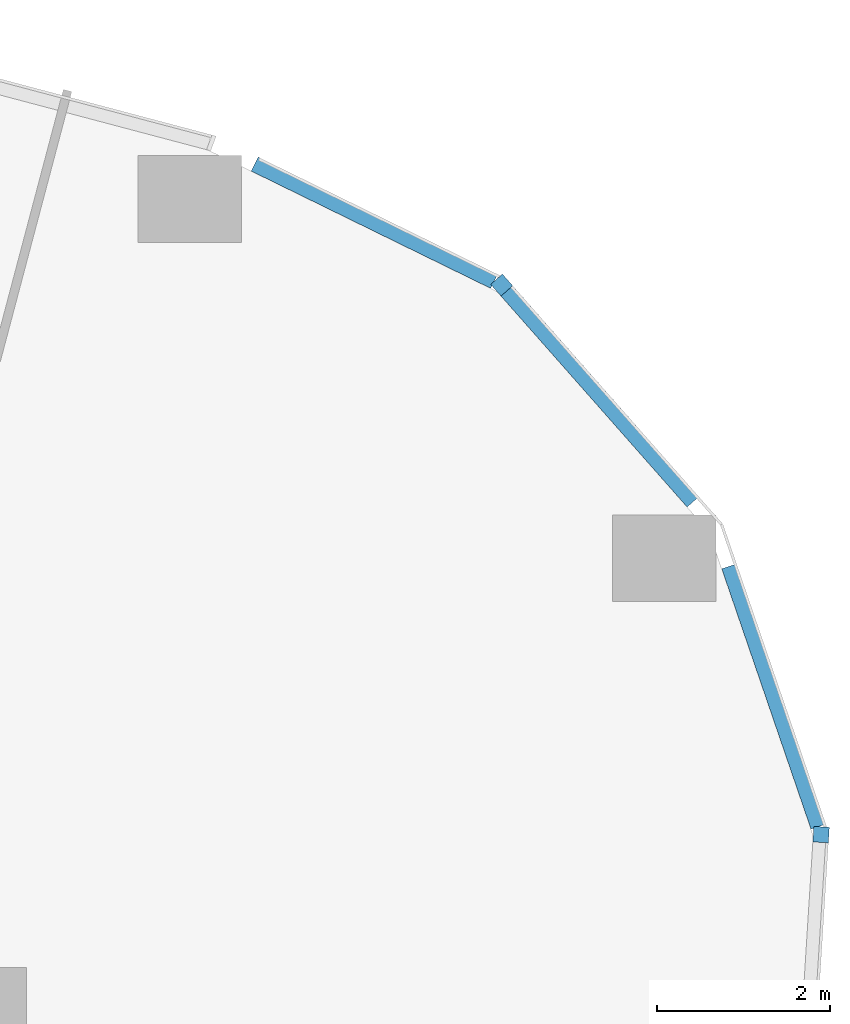
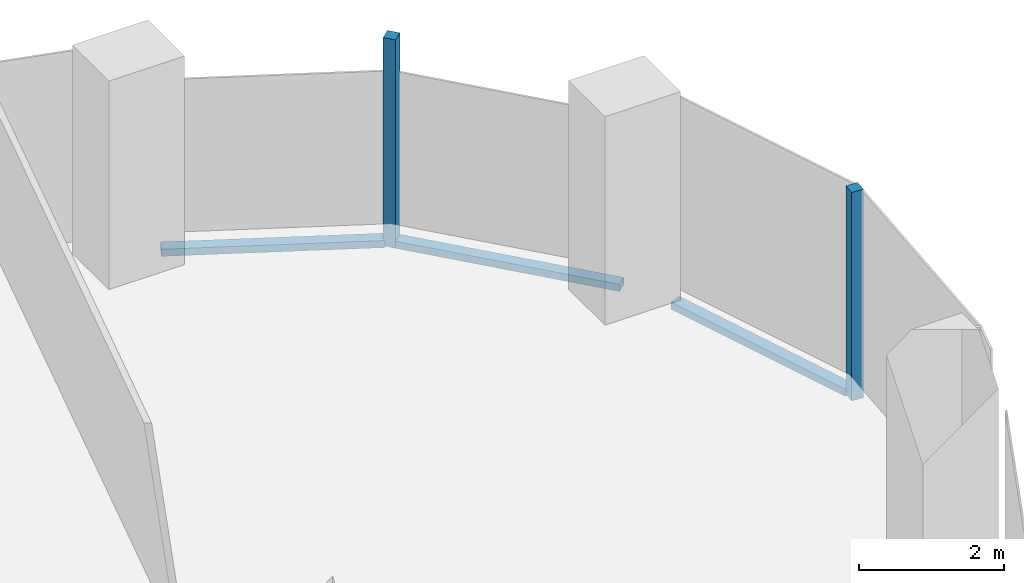
# One storey, part 11 of 35: 5 members, 4 elements without a shape of their own.
"""IFC4 building model written with IfcOpenShell, lengths in metres."""

from ifc_helpers import new_model, si_unit, direction, frame, origin, origin_2d, place, context, subcontext, project, spatial, rectangle, extrude, material, material_profile, profile_set, type_object, element, aggregate, save


model = new_model("IFC4")

# Units and contexts
model_context = context("Model", 3, precision=1e-05, world=origin(), true_north=direction((0.0, 1.0)))
body_context = subcontext(model_context, "Body", "Model", "MODEL_VIEW")
ifc_project = project(units=[si_unit("LENGTHUNIT", "METRE"), si_unit("AREAUNIT", "SQUARE_METRE"), si_unit("VOLUMEUNIT", "CUBIC_METRE"), si_unit("PLANEANGLEUNIT", "RADIAN"), si_unit("MASSUNIT", "GRAM", prefix="KILO")], contexts=[model_context])

# Site, building, storey
site_placement = place(None, origin())
site = spatial("IfcSite", under=ifc_project, at=site_placement, CompositionType="ELEMENT")
building_placement = place(site_placement, origin())
building = spatial("IfcBuilding", under=site, at=building_placement, Name="Orlundy Tower", CompositionType="ELEMENT")
storey_placement = place(building_placement, frame((0.0, 0.0, 116.199951171875)))
storey = spatial("IfcBuildingStorey", under=building, at=storey_placement, Name="L29", CompositionType="ELEMENT", Elevation=116.199951171875)

# Curtain wall, member
ifc_material_1 = material(Name="Aluminium bronze anodised", Category="aluminium")
curtain_wall_type = type_object("IfcCurtainWallType", Name="CW1 wall", PredefinedType="NOTDEFINED", material=ifc_material_1)
curtain_wall_1_placement = place(storey_placement, origin())
curtain_wall_1 = element("IfcCurtainWall", 1, at=curtain_wall_1_placement, inside=storey, type_object=curtain_wall_type, Name="CW1 run 020", PredefinedType="NOTDEFINED")
ifc_material_2 = material(Name="Aluminium bronze anodised", Category="aluminium")
ifc_material_profile_1 = material_profile(ifc_material_2, rectangle(XDim=0.179931640625, YDim=0.179931640625, at=origin_2d()), Name="CW1 corner post 180x180")
ifc_profile_set_1 = profile_set([ifc_material_profile_1], Name="Aluminium bronze anodised")
member_type_1 = type_object("IfcMemberType", Name="CW1 corner post 180x180", PredefinedType="MULLION", material=ifc_profile_set_1)
member_1_placement = place(storey_placement, frame((57.8056640625, 4.719970703125, -0.39990234375), z_axis=(0.0, 0.0, 1.0), x_axis=(0.749845729605, 0.661612712841, 0.0)))
member_1 = element("IfcMember", 2, at=member_1_placement, type_object=member_type_1, Name="CW1 mullion 58", PredefinedType="MULLION", context=body_context, shape_type="SweptSolid", body=[
    extrude(rectangle(XDim=0.179931640625, YDim=0.179931640625, at=origin_2d()), origin(), (0.0, 0.0, 1.0), 3.5),
])

curtain_wall_2_placement = place(storey_placement, origin())
curtain_wall_2 = element("IfcCurtainWall", 3, at=curtain_wall_2_placement, inside=storey, type_object=curtain_wall_type, Name="CW1 run 022", PredefinedType="NOTDEFINED")
member_2_placement = place(storey_placement, frame((61.494873046875, -1.626708984375, -0.39990234375), z_axis=(0.0, 0.0, 1.0), x_axis=(0.998038906457, -0.062596654845, 0.0)))
member_2 = element("IfcMember", 4, at=member_2_placement, type_object=member_type_1, Name="CW1 mullion 60", PredefinedType="MULLION", context=body_context, shape_type="SweptSolid", body=[
    extrude(rectangle(XDim=0.179931640625, YDim=0.179931640625, at=origin_2d()), origin(), (0.0, 0.0, 1.0), 3.5),
])
aggregate(curtain_wall_2, [member_2])

curtain_wall_3_placement = place(storey_placement, origin())
curtain_wall_3 = element("IfcCurtainWall", 5, at=curtain_wall_3_placement, inside=storey, type_object=curtain_wall_type, Name="CW1 run 019", PredefinedType="NOTDEFINED")
ifc_material_3 = material(Name="Aluminium bronze anodised", Category="aluminium")
ifc_material_profile_2 = material_profile(ifc_material_3, rectangle(XDim=0.179931640625, YDim=0.1201171875, at=origin_2d()), Name="CW1 transom 180x120")
ifc_profile_set_2 = profile_set([ifc_material_profile_2], Name="Aluminium bronze anodised")
member_type_2 = type_object("IfcMemberType", Name="CW1 transom 180x120", PredefinedType="USERDEFINED", material=ifc_profile_set_2)
member_3_placement = place(storey_placement, frame((54.952880859375, 6.11669921875, -0.33984375), z_axis=(0.898122786685, -0.439744766925, 0.0), x_axis=(0.439744766925, 0.898122786685, 0.0)))
member_3 = element("IfcMember", 6, at=member_3_placement, type_object=member_type_2, Name="CW1 transom", ObjectType="TRANSOM", PredefinedType="USERDEFINED", context=body_context, shape_type="SweptSolid", body=[
    extrude(rectangle(XDim=0.179931640625, YDim=0.1201171875, at=origin_2d()), origin(), (0.0, 0.0, 1.0), 3.0791015625),
])
aggregate(curtain_wall_3, [member_3])

# Member
member_4_placement = place(storey_placement, frame((57.865234375, 4.652587890625, -0.33984375), z_axis=(0.661584359958, -0.749870745302, 0.0), x_axis=(0.749870745302, 0.661584359958, 0.0)))
member_4 = element("IfcMember", 7, at=member_4_placement, type_object=member_type_2, Name="CW1 transom", ObjectType="TRANSOM", PredefinedType="USERDEFINED", context=body_context, shape_type="SweptSolid", body=[
    extrude(rectangle(XDim=0.179931640625, YDim=0.1201171875, at=origin_2d()), origin(), (0.0, 0.0, 1.0), 3.249267578125),
])

aggregate(curtain_wall_1, [member_1, member_4])

# Curtain wall, member
curtain_wall_4_placement = place(storey_placement, origin())
curtain_wall_4 = element("IfcCurtainWall", 8, at=curtain_wall_4_placement, inside=storey, type_object=curtain_wall_type, Name="CW1 run 021", PredefinedType="NOTDEFINED")
member_5_placement = place(storey_placement, frame((60.43310546875, 1.4716796875, -0.33984375), z_axis=(0.324190765616, -0.945991726967, 0.0), x_axis=(0.945991726967, 0.324190765616, 0.0)))
member_5 = element("IfcMember", 9, at=member_5_placement, type_object=member_type_2, Name="CW1 transom", ObjectType="TRANSOM", PredefinedType="USERDEFINED", context=body_context, shape_type="SweptSolid", body=[
    extrude(rectangle(XDim=0.179931640625, YDim=0.1201171875, at=origin_2d()), origin(), (0.0, 0.0, 1.0), 3.177978515625),
])
aggregate(curtain_wall_4, [member_5])

save(model, "model.ifc")
